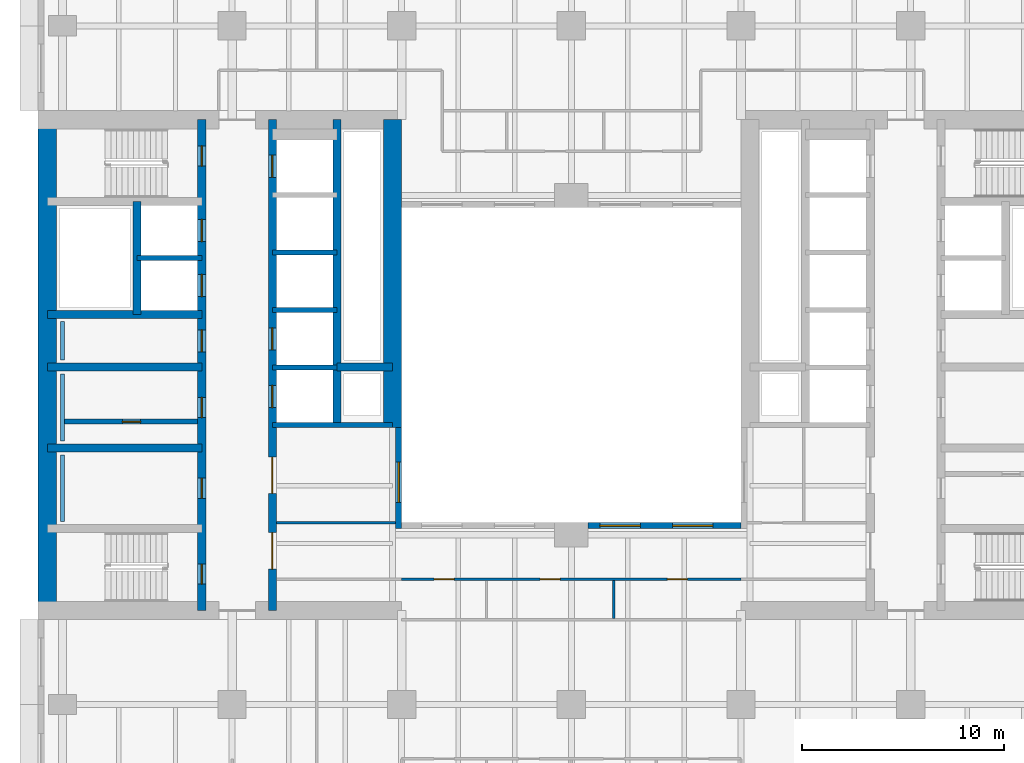
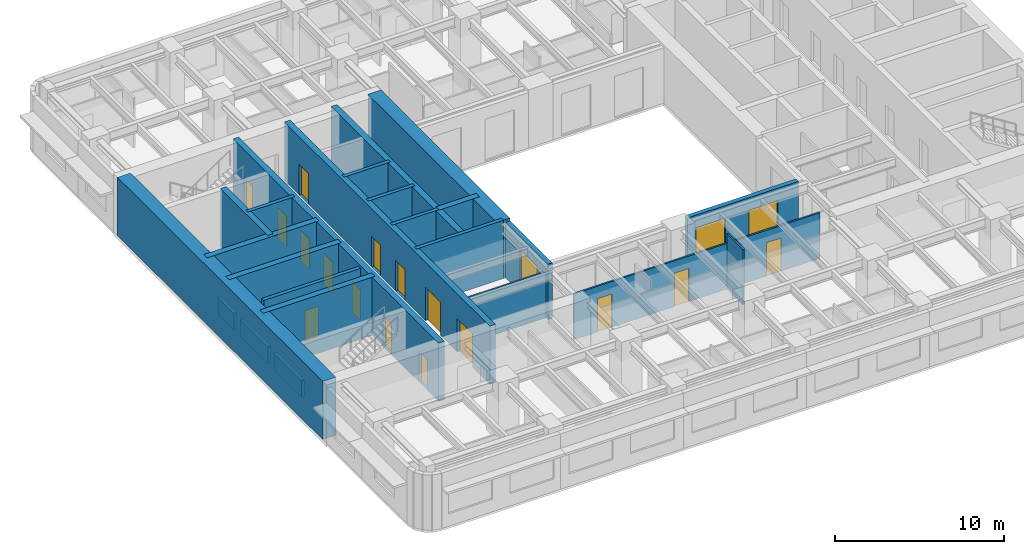
# One storey, part 4 of 11: 24 walls, 16 doors, 3 windows, 19 openings.
"""IFC4 building model written with IfcOpenShell, lengths in metres."""

from ifc_helpers import new_model, si_unit, direction, frame, frame_2d, origin, place, context, subcontext, project, spatial, rectangle, extrude, material, layer, layer_set, type_object, element, fill, save


model = new_model("IFC4")

# Units and contexts
model_context = context("Model", 3, precision=1e-05, world=origin(), true_north=direction((0.0, 1.0)))
body_context = subcontext(model_context, "Body", "Model", "MODEL_VIEW")
ifc_project = project(units=[si_unit("LENGTHUNIT", "METRE"), si_unit("AREAUNIT", "SQUARE_METRE"), si_unit("VOLUMEUNIT", "CUBIC_METRE"), si_unit("PLANEANGLEUNIT", "RADIAN"), si_unit("MASSUNIT", "GRAM", prefix="KILO")], contexts=[model_context])

# Site, building, storey
site_placement = place(None, origin())
site = spatial("IfcSite", under=ifc_project, at=site_placement, CompositionType="ELEMENT")
building_placement = place(site_placement, origin())
building = spatial("IfcBuilding", under=site, at=building_placement, Name="Claustro Exchange Tower", CompositionType="ELEMENT")
storey_placement = place(building_placement, frame((0.0, 0.0, 163.800048828125)))
storey = spatial("IfcBuildingStorey", under=building, at=storey_placement, Name="L37", CompositionType="ELEMENT", Elevation=163.800048828125)

# Walls
ifc_material_1 = material(Name="Laminated glass in aluminium frame", Category="aluminium")
ifc_layer_1 = layer(ifc_material_1, 0.1201171875)
ifc_layer_set_1 = layer_set([ifc_layer_1], Name="Laminated glass in aluminium frame")
wall_type_1 = type_object("IfcWallType", Name="P2 120 glazed partition", PredefinedType="PARTITIONING", material=ifc_layer_set_1)
wall_1_placement = place(storey_placement, frame((10.597900390625, 17.39990234375, 0.0), z_axis=(0.0, 0.0, 1.0), x_axis=(1.0, 0.0, 0.0)))
element("IfcWall", 1, at=wall_1_placement, inside=storey, type_object=wall_type_1, Name="Partition P2 L37", PredefinedType="PARTITIONING", context=body_context, shape_type="SweptSolid", body=[
    extrude(rectangle(XDim=5.904052734375, YDim=0.1201171875, at=frame_2d((2.9521484375, 0.0))), origin(), (0.0, 0.0, 1.0), 3.300048828125),
])
wall_2_placement = place(storey_placement, frame((27.300048828125, 12.657958984375, 0.0), z_axis=(0.0, 0.0, 1.0), x_axis=(0.0, 1.0, 0.0)))
element("IfcWall", 2, at=wall_2_placement, inside=storey, type_object=wall_type_1, Name="Partition P2 L37", PredefinedType="PARTITIONING", context=body_context, shape_type="SweptSolid", body=[
    extrude(rectangle(XDim=1.884033203125, YDim=0.1201171875, at=frame_2d((0.94189453125, 0.0))), origin(), (0.0, 0.0, 1.0), 4.0),
])

# Wall, openings, doors
wall_3_placement = place(storey_placement, frame((16.798095703125, 14.60009765625, 0.0), z_axis=(0.0, 0.0, 1.0), x_axis=(1.0, 0.0, 0.0)))
wall_3 = element("IfcWall", 3, at=wall_3_placement, inside=storey, type_object=wall_type_1, Name="Partition P2 L37", PredefinedType="PARTITIONING", context=body_context, shape_type="SweptSolid", body=[
    extrude(rectangle(XDim=16.803955078125, YDim=0.1201171875, at=frame_2d((8.40185546875, 0.0))), origin(), (0.0, 0.0, 1.0), 3.300048828125),
])
opening_1_placement = place(wall_3_placement, frame((1.60205078125, 0.0, 0.0)))
opening_1 = element("IfcOpeningElement", 4, at=opening_1_placement, cuts=wall_3, Name="Opening D7", PredefinedType="OPENING", context=body_context, shape_type="SweptSolid", body=[
    extrude(rectangle(XDim=1.0, YDim=2.39990234375, at=frame_2d((0.5, 1.199951171875))), frame((0.0, 0.070068359375, 0.0), z_axis=(0.0, -1.0, 0.0), x_axis=(1.0, 0.0, 0.0)), (0.0, 0.0, 1.0), 0.14013671875),
])
opening_2_placement = place(wall_3_placement, frame((6.85205078125, 0.0, 0.0)))
opening_2 = element("IfcOpeningElement", 5, at=opening_2_placement, cuts=wall_3, Name="Opening D7", PredefinedType="OPENING", context=body_context, shape_type="SweptSolid", body=[
    extrude(rectangle(XDim=1.0, YDim=2.39990234375, at=frame_2d((0.5, 1.199951171875))), frame((0.0, 0.070068359375, 0.0), z_axis=(0.0, -1.0, 0.0), x_axis=(1.0, 0.0, 0.0)), (0.0, 0.0, 1.0), 0.14013671875),
])
opening_3_placement = place(wall_3_placement, frame((13.152099609375, 0.0, 0.0)))
opening_3 = element("IfcOpeningElement", 6, at=opening_3_placement, cuts=wall_3, Name="Opening D7", PredefinedType="OPENING", context=body_context, shape_type="SweptSolid", body=[
    extrude(rectangle(XDim=1.0, YDim=2.39990234375, at=frame_2d((0.5, 1.199951171875))), frame((0.0, 0.070068359375, 0.0), z_axis=(0.0, -1.0, 0.0), x_axis=(1.0, 0.0, 0.0)), (0.0, 0.0, 1.0), 0.14013671875),
])
ifc_material_2 = material(Name="Glass door in aluminium frame", Category="aluminium")
door_type_1 = type_object("IfcDoorType", Name="D7 1000 x 2400 glazed door", OperationType="SINGLE_SWING_LEFT", PredefinedType="DOOR", material=ifc_material_2)
door_1_placement = place(opening_1_placement, frame((1.0, 0.0, 0.0), z_axis=(0.0, 0.0, 1.0), x_axis=(-1.0, 0.0, 0.0)))
door_1 = element("IfcDoor", 7, at=door_1_placement, inside=storey, type_object=door_type_1, Name="Door D7 L37", OperationType="SINGLE_SWING_RIGHT", OverallHeight=2.39990234375, OverallWidth=1.0, PredefinedType="DOOR", context=body_context, shape_type="SweptSolid", body=[
    extrude(rectangle(XDim=1.0, YDim=2.39990234375, at=frame_2d((0.5, 1.199951171875))), frame((0.0, 0.02490234375, 0.0), z_axis=(0.0, -1.0, 0.0), x_axis=(1.0, 0.0, 0.0)), (0.0, 0.0, 1.0), 0.050048828125),
])
fill(opening_1, door_1)
door_2_placement = place(opening_2_placement, frame((1.0, 0.0, 0.0), z_axis=(0.0, 0.0, 1.0), x_axis=(-1.0, 0.0, 0.0)))
door_2 = element("IfcDoor", 8, at=door_2_placement, inside=storey, type_object=door_type_1, Name="Door D7 L37", OperationType="SINGLE_SWING_RIGHT", OverallHeight=2.39990234375, OverallWidth=1.0, PredefinedType="DOOR", context=body_context, shape_type="SweptSolid", body=[
    extrude(rectangle(XDim=1.0, YDim=2.39990234375, at=frame_2d((0.5, 1.199951171875))), frame((0.0, 0.02490234375, 0.0), z_axis=(0.0, -1.0, 0.0), x_axis=(1.0, 0.0, 0.0)), (0.0, 0.0, 1.0), 0.050048828125),
])
fill(opening_2, door_2)
door_3_placement = place(opening_3_placement, frame((1.0, 0.0, 0.0), z_axis=(0.0, 0.0, 1.0), x_axis=(-1.0, 0.0, 0.0)))
door_3 = element("IfcDoor", 9, at=door_3_placement, inside=storey, type_object=door_type_1, Name="Door D7 L37", OperationType="SINGLE_SWING_RIGHT", OverallHeight=2.39990234375, OverallWidth=1.0, PredefinedType="DOOR", context=body_context, shape_type="SweptSolid", body=[
    extrude(rectangle(XDim=1.0, YDim=2.39990234375, at=frame_2d((0.5, 1.199951171875))), frame((0.0, 0.02490234375, 0.0), z_axis=(0.0, -1.0, 0.0), x_axis=(1.0, 0.0, 0.0)), (0.0, 0.0, 1.0), 0.050048828125),
])
fill(opening_3, door_3)

# Wall, opening, door
ifc_material_3 = material(Name="Concrete blockwork, rendered", Category="masonry")
ifc_layer_2 = layer(ifc_material_3, 0.25)
ifc_layer_set_2 = layer_set([ifc_layer_2], Name="Concrete blockwork, rendered")
wall_type_2 = type_object("IfcWallType", Name="P4 250 blockwork wall", PredefinedType="PARTITIONING", material=ifc_layer_set_2)
wall_4_placement = place(storey_placement, frame((0.10009765625, 22.39990234375, 0.0), z_axis=(0.0, 0.0, 1.0), x_axis=(1.0, 0.0, 0.0)))
wall_4 = element("IfcWall", 10, at=wall_4_placement, inside=storey, type_object=wall_type_2, Name="Partition P4 L37", PredefinedType="PARTITIONING", context=body_context, shape_type="SweptSolid", body=[
    extrude(rectangle(XDim=6.599853515625, YDim=0.25, at=frame_2d((3.2998046875, 0.0))), origin(), (0.0, 0.0, 1.0), 4.0),
])
opening_4_placement = place(wall_4_placement, frame((2.875, 0.0, 0.0)))
opening_4 = element("IfcOpeningElement", 11, at=opening_4_placement, cuts=wall_4, Name="Opening D5", PredefinedType="OPENING", context=body_context, shape_type="SweptSolid", body=[
    extrude(rectangle(XDim=0.89990234375, YDim=2.199951171875, at=frame_2d((0.449951171875, 1.10009765625))), frame((0.0, 0.135009765625, 0.0), z_axis=(0.0, -1.0, 0.0), x_axis=(1.0, 0.0, 0.0)), (0.0, 0.0, 1.0), 0.27001953125),
])
ifc_material_4 = material(Name="Steel door, painted", Category="steel")
door_type_2 = type_object("IfcDoorType", Name="D5 900 x 2200 store door", OperationType="SINGLE_SWING_LEFT", PredefinedType="DOOR", material=ifc_material_4)
door_4_placement = place(opening_4_placement, frame((0.89990234375, 0.0, 0.0), z_axis=(0.0, 0.0, 1.0), x_axis=(-1.0, 0.0, 0.0)))
door_4 = element("IfcDoor", 12, at=door_4_placement, inside=storey, type_object=door_type_2, Name="Store door D5 L37", OperationType="SINGLE_SWING_RIGHT", OverallHeight=2.199951171875, OverallWidth=0.89990234375, PredefinedType="DOOR", context=body_context, shape_type="SweptSolid", body=[
    extrude(rectangle(XDim=0.89990234375, YDim=2.199951171875, at=frame_2d((0.449951171875, 1.10009765625))), frame((0.0, 0.02490234375, 0.0), z_axis=(0.0, -1.0, 0.0), x_axis=(1.0, 0.0, 0.0)), (0.0, 0.0, 1.0), 0.050048828125),
])
fill(opening_4, door_4)

# Wall, opening, window
ifc_material_5 = material(Name="Concrete HA-40 (C40/50), precast, white cement, acid-etched", Category="concrete")
ifc_layer_3 = layer(ifc_material_5, 0.300048828125)
ifc_layer_set_3 = layer_set([ifc_layer_3], Name="Concrete HA-40 (C40/50), precast, white cement, acid-etched")
wall_type_3 = type_object("IfcWallType", Name="PC1 300 precast concrete pier panel", PredefinedType="SOLIDWALL", material=ifc_layer_set_3)
wall_5_placement = place(storey_placement, frame((16.64990234375, 17.10009765625, 0.0), z_axis=(0.0, 0.0, 1.0), x_axis=(0.0, 1.0, 0.0)))
wall_5 = element("IfcWall", 13, at=wall_5_placement, inside=storey, type_object=wall_type_3, Name="Precast pier panel PC1 L37", PredefinedType="SOLIDWALL", context=body_context, shape_type="SweptSolid", body=[
    extrude(rectangle(XDim=5.0, YDim=0.300048828125, at=frame_2d((2.5, 0.0))), origin(), (0.0, 0.0, 1.0), 4.0),
])
opening_5_placement = place(wall_5_placement, frame((1.300048828125, 0.0, 0.10009765625)))
opening_5 = element("IfcOpeningElement", 14, at=opening_5_placement, cuts=wall_5, Name="Opening W-A", PredefinedType="OPENING", context=body_context, shape_type="SweptSolid", body=[
    extrude(rectangle(XDim=2.0, YDim=3.0, at=frame_2d((1.0, 1.5))), frame((0.0, 0.159912109375, 0.0), z_axis=(0.0, -1.0, 0.0), x_axis=(1.0, 0.0, 0.0)), (0.0, 0.0, 1.0), 0.320068359375),
])
ifc_material_6 = material(Name="Aluminium frame, clear double glazing", Category="aluminium")
window_type = type_object("IfcWindowType", Name="W-A 2000 x 3000 arcade window", PartitioningType="SINGLE_PANEL", PredefinedType="WINDOW", material=ifc_material_6)
window_1_placement = place(opening_5_placement, origin())
window_1 = element("IfcWindow", 15, at=window_1_placement, inside=storey, type_object=window_type, Name="Window W-A L37", OverallHeight=3.0, OverallWidth=2.0, PartitioningType="SINGLE_PANEL", PredefinedType="WINDOW", context=body_context, shape_type="SweptSolid", body=[
    extrude(rectangle(XDim=2.0, YDim=3.0, at=frame_2d((1.0, 1.5))), frame((0.0, 0.030029296875, 0.0), z_axis=(0.0, -1.0, 0.0), x_axis=(1.0, 0.0, 0.0)), (0.0, 0.0, 1.0), 0.06005859375),
])
fill(opening_5, window_1)

# Wall, openings, windows
wall_6_placement = place(storey_placement, frame((26.02490234375, 17.25, 0.0), z_axis=(0.0, 0.0, 1.0), x_axis=(1.0, 0.0, 0.0)))
wall_6 = element("IfcWall", 16, at=wall_6_placement, inside=storey, type_object=wall_type_3, Name="Precast pier panel PC1 L37", PredefinedType="SOLIDWALL", context=body_context, shape_type="SweptSolid", body=[
    extrude(rectangle(XDim=7.5751953125, YDim=0.300048828125, at=frame_2d((3.78759765625, 0.0))), origin(), (0.0, 0.0, 1.0), 4.0),
])
opening_6_placement = place(wall_6_placement, frame((0.58740234375, 0.0, 0.10009765625)))
opening_6 = element("IfcOpeningElement", 17, at=opening_6_placement, cuts=wall_6, Name="Opening W-A", PredefinedType="OPENING", context=body_context, shape_type="SweptSolid", body=[
    extrude(rectangle(XDim=2.0, YDim=3.0, at=frame_2d((1.0, 1.5))), frame((0.0, 0.159912109375, 0.0), z_axis=(0.0, -1.0, 0.0), x_axis=(1.0, 0.0, 0.0)), (0.0, 0.0, 1.0), 0.320068359375),
])
opening_7_placement = place(wall_6_placement, frame((4.1875, 0.0, 0.10009765625)))
opening_7 = element("IfcOpeningElement", 18, at=opening_7_placement, cuts=wall_6, Name="Opening W-A", PredefinedType="OPENING", context=body_context, shape_type="SweptSolid", body=[
    extrude(rectangle(XDim=2.0, YDim=3.0, at=frame_2d((1.0, 1.5))), frame((0.0, 0.159912109375, 0.0), z_axis=(0.0, -1.0, 0.0), x_axis=(1.0, 0.0, 0.0)), (0.0, 0.0, 1.0), 0.320068359375),
])
window_2_placement = place(opening_6_placement, origin())
window_2 = element("IfcWindow", 19, at=window_2_placement, inside=storey, type_object=window_type, Name="Window W-A L37", OverallHeight=3.0, OverallWidth=2.0, PartitioningType="SINGLE_PANEL", PredefinedType="WINDOW", context=body_context, shape_type="SweptSolid", body=[
    extrude(rectangle(XDim=2.0, YDim=3.0, at=frame_2d((1.0, 1.5))), frame((0.0, 0.030029296875, 0.0), z_axis=(0.0, -1.0, 0.0), x_axis=(1.0, 0.0, 0.0)), (0.0, 0.0, 1.0), 0.06005859375),
])
fill(opening_6, window_2)
window_3_placement = place(opening_7_placement, origin())
window_3 = element("IfcWindow", 20, at=window_3_placement, inside=storey, type_object=window_type, Name="Window W-A L37", OverallHeight=3.0, OverallWidth=2.0, PartitioningType="SINGLE_PANEL", PredefinedType="WINDOW", context=body_context, shape_type="SweptSolid", body=[
    extrude(rectangle(XDim=2.0, YDim=3.0, at=frame_2d((1.0, 1.5))), frame((0.0, 0.030029296875, 0.0), z_axis=(0.0, -1.0, 0.0), x_axis=(1.0, 0.0, 0.0)), (0.0, 0.0, 1.0), 0.06005859375),
])
fill(opening_7, window_3)

# Walls
ifc_material_7 = material(Name="Gypsum board on steel studs, tiled", Category="steel")
ifc_layer_4 = layer(ifc_material_7, 0.199951171875)
ifc_layer_set_4 = layer_set([ifc_layer_4], Name="Gypsum board on steel studs, tiled")
wall_type_4 = type_object("IfcWallType", Name="PW1 200 WC duct wall", PredefinedType="PLUMBINGWALL", material=ifc_layer_set_4)
for number, where, z_axis, x_axis, name in (
    (21, (0.0, 17.449951171875, 0.0), (0.0, 0.0, 1.0), (0.0, 1.0, 0.0), "WC duct wall PW1 L37"),
    (22, (0.0, 21.449951171875, 0.0), (0.0, 0.0, 1.0), (0.0, 1.0, 0.0), "WC duct wall PW1 L37"),
):
    element("IfcWall", number, at=place(storey_placement, frame(where, z_axis=z_axis, x_axis=x_axis)), inside=storey, type_object=wall_type_4, Name=name, PredefinedType="PLUMBINGWALL", context=body_context, shape_type="SweptSolid", body=[
        extrude(rectangle(XDim=3.300048828125, YDim=0.199951171875, at=frame_2d((1.64990234375, 0.0))), origin(), (0.0, 0.0, 1.0), 1.199951171875),
    ])
wall_7_placement = place(storey_placement, frame((0.0, 25.449951171875, 0.0), z_axis=(0.0, 0.0, 1.0), x_axis=(0.0, 1.0, 0.0)))
element("IfcWall", 23, at=wall_7_placement, inside=storey, type_object=wall_type_4, Name="WC duct wall PW1 L37", PredefinedType="PLUMBINGWALL", context=body_context, shape_type="SweptSolid", body=[
    extrude(rectangle(XDim=1.900146484375, YDim=0.199951171875, at=frame_2d((0.9501953125, 0.0))), origin(), (0.0, 0.0, 1.0), 1.199951171875),
])
ifc_material_8 = material(Name="Concrete HA-70 (C70/85)", Category="concrete")
ifc_layer_5 = layer(ifc_material_8, 0.89990234375)
ifc_layer_set_5 = layer_set([ifc_layer_5], Name="Concrete HA-70 (C70/85)")
wall_type_5 = type_object("IfcWallType", Name="SW1X 900 exposed core shear wall, board-marked face", PredefinedType="SHEAR", material=ifc_layer_set_5)
wall_8_placement = place(storey_placement, frame((-0.75, 13.050048828125, 0.0), z_axis=(0.0, 0.0, 1.0), x_axis=(0.0, 1.0, 0.0)))
element("IfcWall", 24, at=wall_8_placement, inside=storey, type_object=wall_type_5, Name="Core wall SW1X W core W face L37", PredefinedType="SHEAR", context=body_context, shape_type="SweptSolid", body=[
    extrude(rectangle(XDim=24.300048828125, YDim=0.89990234375, at=frame_2d((12.14990234375, 0.0))), origin(), (0.0, 0.0, 1.0), 4.199951171875),
])
wall_9_placement = place(storey_placement, frame((16.35009765625, 22.10009765625, 0.0), z_axis=(0.0, 0.0, 1.0), x_axis=(0.0, 1.0, 0.0)))
element("IfcWall", 25, at=wall_9_placement, inside=storey, type_object=wall_type_5, Name="Core wall SW1X W core E face L37", PredefinedType="SHEAR", context=body_context, shape_type="SweptSolid", body=[
    extrude(rectangle(XDim=15.25, YDim=0.89990234375, at=frame_2d((7.625, 0.0))), origin(), (0.0, 0.0, 1.0), 4.199951171875),
])

# Wall, openings, doors
ifc_material_9 = material(Name="Concrete HA-50 (C50/60)", Category="concrete")
ifc_layer_6 = layer(ifc_material_9, 0.39990234375)
ifc_layer_set_6 = layer_set([ifc_layer_6], Name="Concrete HA-50 (C50/60)")
wall_type_6 = type_object("IfcWallType", Name="SW4 400 internal core wall", PredefinedType="SHEAR", material=ifc_layer_set_6)
wall_10_placement = place(storey_placement, frame((6.89990234375, 13.050048828125, 0.0), z_axis=(0.0, 0.0, 1.0), x_axis=(0.0, 1.0, 0.0)))
wall_10 = element("IfcWall", 26, at=wall_10_placement, inside=storey, type_object=wall_type_6, Name="Internal core wall SW4 W core L37", PredefinedType="SHEAR", context=body_context, shape_type="SweptSolid", body=[
    extrude(rectangle(XDim=24.300048828125, YDim=0.39990234375, at=frame_2d((12.14990234375, 0.0))), origin(), (0.0, 0.0, 1.0), 4.199951171875),
])
opening_8_placement = place(wall_10_placement, frame((1.300048828125, 0.0, 0.0)))
opening_8 = element("IfcOpeningElement", 27, at=opening_8_placement, cuts=wall_10, Name="Opening D4", PredefinedType="OPENING", context=body_context, shape_type="SweptSolid", body=[
    extrude(rectangle(XDim=1.0, YDim=2.199951171875, at=frame_2d((0.5, 1.10009765625))), frame((0.0, 0.2099609375, 0.0), z_axis=(0.0, -1.0, 0.0), x_axis=(1.0, 0.0, 0.0)), (0.0, 0.0, 1.0), 0.419921875),
])
opening_9_placement = place(wall_10_placement, frame((22.0, 0.0, 0.0)))
opening_9 = element("IfcOpeningElement", 28, at=opening_9_placement, cuts=wall_10, Name="Opening D4", PredefinedType="OPENING", context=body_context, shape_type="SweptSolid", body=[
    extrude(rectangle(XDim=1.0, YDim=2.199951171875, at=frame_2d((0.5, 1.10009765625))), frame((0.0, 0.2099609375, 0.0), z_axis=(0.0, -1.0, 0.0), x_axis=(1.0, 0.0, 0.0)), (0.0, 0.0, 1.0), 0.419921875),
])
opening_10_placement = place(wall_10_placement, frame((5.550048828125, 0.0, 0.0)))
opening_10 = element("IfcOpeningElement", 29, at=opening_10_placement, cuts=wall_10, Name="Opening D1", PredefinedType="OPENING", context=body_context, shape_type="SweptSolid", body=[
    extrude(rectangle(XDim=1.0, YDim=2.199951171875, at=frame_2d((0.5, 1.10009765625))), frame((0.0, 0.2099609375, 0.0), z_axis=(0.0, -1.0, 0.0), x_axis=(1.0, 0.0, 0.0)), (0.0, 0.0, 1.0), 0.419921875),
])
opening_11_placement = place(wall_10_placement, frame((9.550048828125, 0.0, 0.0)))
opening_11 = element("IfcOpeningElement", 30, at=opening_11_placement, cuts=wall_10, Name="Opening D1", PredefinedType="OPENING", context=body_context, shape_type="SweptSolid", body=[
    extrude(rectangle(XDim=1.0, YDim=2.199951171875, at=frame_2d((0.5, 1.10009765625))), frame((0.0, 0.2099609375, 0.0), z_axis=(0.0, -1.0, 0.0), x_axis=(1.0, 0.0, 0.0)), (0.0, 0.0, 1.0), 0.419921875),
])
opening_12_placement = place(wall_10_placement, frame((12.800048828125, 0.0, 0.0)))
opening_12 = element("IfcOpeningElement", 31, at=opening_12_placement, cuts=wall_10, Name="Opening D10", PredefinedType="OPENING", context=body_context, shape_type="SweptSolid", body=[
    extrude(rectangle(XDim=1.10009765625, YDim=2.199951171875, at=frame_2d((0.550048828125, 1.10009765625))), frame((0.0, 0.2099609375, 0.0), z_axis=(0.0, -1.0, 0.0), x_axis=(1.0, 0.0, 0.0)), (0.0, 0.0, 1.0), 0.419921875),
])
opening_13_placement = place(wall_10_placement, frame((15.53759765625, 0.0, 0.0)))
opening_13 = element("IfcOpeningElement", 32, at=opening_13_placement, cuts=wall_10, Name="Opening LD", PredefinedType="OPENING", context=body_context, shape_type="SweptSolid", body=[
    extrude(rectangle(XDim=1.10009765625, YDim=2.199951171875, at=frame_2d((0.550048828125, 1.10009765625))), frame((0.0, 0.2099609375, 0.0), z_axis=(0.0, -1.0, 0.0), x_axis=(1.0, 0.0, 0.0)), (0.0, 0.0, 1.0), 0.419921875),
])
opening_14_placement = place(wall_10_placement, frame((18.262451171875, 0.0, 0.0)))
opening_14 = element("IfcOpeningElement", 33, at=opening_14_placement, cuts=wall_10, Name="Opening LD", PredefinedType="OPENING", context=body_context, shape_type="SweptSolid", body=[
    extrude(rectangle(XDim=1.10009765625, YDim=2.199951171875, at=frame_2d((0.550048828125, 1.10009765625))), frame((0.0, 0.2099609375, 0.0), z_axis=(0.0, -1.0, 0.0), x_axis=(1.0, 0.0, 0.0)), (0.0, 0.0, 1.0), 0.419921875),
])
ifc_material_10 = material(Name="Timber door, oak veneer", Category="wood")
door_type_3 = type_object("IfcDoorType", Name="D1 1000 x 2200 single door", OperationType="SINGLE_SWING_LEFT", PredefinedType="DOOR", material=ifc_material_10)
door_5_placement = place(opening_10_placement, origin())
door_5 = element("IfcDoor", 34, at=door_5_placement, inside=storey, type_object=door_type_3, Name="Door D1 L37", OperationType="SINGLE_SWING_RIGHT", OverallHeight=2.199951171875, OverallWidth=1.0, PredefinedType="DOOR", context=body_context, shape_type="SweptSolid", body=[
    extrude(rectangle(XDim=1.0, YDim=2.199951171875, at=frame_2d((0.5, 1.10009765625))), frame((0.0, 0.02490234375, 0.0), z_axis=(0.0, -1.0, 0.0), x_axis=(1.0, 0.0, 0.0)), (0.0, 0.0, 1.0), 0.050048828125),
])
fill(opening_10, door_5)
door_6_placement = place(opening_11_placement, origin())
door_6 = element("IfcDoor", 35, at=door_6_placement, inside=storey, type_object=door_type_3, Name="Door D1 L37", OperationType="SINGLE_SWING_LEFT", OverallHeight=2.199951171875, OverallWidth=1.0, PredefinedType="DOOR", context=body_context, shape_type="SweptSolid", body=[
    extrude(rectangle(XDim=1.0, YDim=2.199951171875, at=frame_2d((0.5, 1.10009765625))), frame((0.0, 0.02490234375, 0.0), z_axis=(0.0, -1.0, 0.0), x_axis=(1.0, 0.0, 0.0)), (0.0, 0.0, 1.0), 0.050048828125),
])
fill(opening_11, door_6)
ifc_material_11 = material(Name="Timber door, oak veneer", Category="wood")
door_type_4 = type_object("IfcDoorType", Name="D10 1100 x 2200 accessible WC door", OperationType="SINGLE_SWING_LEFT", PredefinedType="DOOR", material=ifc_material_11)
door_7_placement = place(opening_12_placement, frame((1.10009765625, 0.0, 0.0), z_axis=(0.0, 0.0, 1.0), x_axis=(-1.0, 0.0, 0.0)))
door_7 = element("IfcDoor", 36, at=door_7_placement, inside=storey, type_object=door_type_4, Name="Accessible WC door D10 L37", OperationType="SINGLE_SWING_LEFT", OverallHeight=2.199951171875, OverallWidth=1.10009765625, PredefinedType="DOOR", context=body_context, shape_type="SweptSolid", body=[
    extrude(rectangle(XDim=1.10009765625, YDim=2.199951171875, at=frame_2d((0.550048828125, 1.10009765625))), frame((0.0, 0.02490234375, 0.0), z_axis=(0.0, -1.0, 0.0), x_axis=(1.0, 0.0, 0.0)), (0.0, 0.0, 1.0), 0.050048828125),
])
fill(opening_12, door_7)
ifc_material_12 = material(Name="Steel fire door, painted", Category="steel")
door_type_5 = type_object("IfcDoorType", Name="D4 1000 x 2200 fire-rated stair door", OperationType="SINGLE_SWING_LEFT", PredefinedType="DOOR", material=ifc_material_12)
door_8_placement = place(opening_8_placement, origin())
door_8 = element("IfcDoor", 37, at=door_8_placement, inside=storey, type_object=door_type_5, Name="Stair door D4 L37", OperationType="SINGLE_SWING_LEFT", OverallHeight=2.199951171875, OverallWidth=1.0, PredefinedType="DOOR", context=body_context, shape_type="SweptSolid", body=[
    extrude(rectangle(XDim=1.0, YDim=2.199951171875, at=frame_2d((0.5, 1.10009765625))), frame((0.0, 0.02490234375, 0.0), z_axis=(0.0, -1.0, 0.0), x_axis=(1.0, 0.0, 0.0)), (0.0, 0.0, 1.0), 0.050048828125),
])
fill(opening_8, door_8)
door_9_placement = place(opening_9_placement, origin())
door_9 = element("IfcDoor", 38, at=door_9_placement, inside=storey, type_object=door_type_5, Name="Stair door D4 L37", OperationType="SINGLE_SWING_RIGHT", OverallHeight=2.199951171875, OverallWidth=1.0, PredefinedType="DOOR", context=body_context, shape_type="SweptSolid", body=[
    extrude(rectangle(XDim=1.0, YDim=2.199951171875, at=frame_2d((0.5, 1.10009765625))), frame((0.0, 0.02490234375, 0.0), z_axis=(0.0, -1.0, 0.0), x_axis=(1.0, 0.0, 0.0)), (0.0, 0.0, 1.0), 0.050048828125),
])
fill(opening_9, door_9)
ifc_material_13 = material(Name="Stainless steel sliding door", Category="steel")
door_type_6 = type_object("IfcDoorType", Name="LD 1100 x 2200 lift landing door", OperationType="DOUBLE_DOOR_SLIDING", PredefinedType="DOOR", material=ifc_material_13)
door_10_placement = place(opening_13_placement, origin())
door_10 = element("IfcDoor", 39, at=door_10_placement, inside=storey, type_object=door_type_6, Name="Lift landing door LEW1 LD L37", OperationType="DOUBLE_DOOR_SLIDING", OverallHeight=2.199951171875, OverallWidth=1.10009765625, PredefinedType="DOOR", context=body_context, shape_type="SweptSolid", body=[
    extrude(rectangle(XDim=1.10009765625, YDim=2.199951171875, at=frame_2d((0.550048828125, 1.10009765625))), frame((0.0, 0.02490234375, 0.0), z_axis=(0.0, -1.0, 0.0), x_axis=(1.0, 0.0, 0.0)), (0.0, 0.0, 1.0), 0.050048828125),
])
fill(opening_13, door_10)
door_11_placement = place(opening_14_placement, origin())
door_11 = element("IfcDoor", 40, at=door_11_placement, inside=storey, type_object=door_type_6, Name="Lift landing door LEW2 LD L37", OperationType="DOUBLE_DOOR_SLIDING", OverallHeight=2.199951171875, OverallWidth=1.10009765625, PredefinedType="DOOR", context=body_context, shape_type="SweptSolid", body=[
    extrude(rectangle(XDim=1.10009765625, YDim=2.199951171875, at=frame_2d((0.550048828125, 1.10009765625))), frame((0.0, 0.02490234375, 0.0), z_axis=(0.0, -1.0, 0.0), x_axis=(1.0, 0.0, 0.0)), (0.0, 0.0, 1.0), 0.050048828125),
])
fill(opening_14, door_11)

wall_11_placement = place(storey_placement, frame((10.39990234375, 13.050048828125, 0.0), z_axis=(0.0, 0.0, 1.0), x_axis=(0.0, 1.0, 0.0)))
wall_11 = element("IfcWall", 41, at=wall_11_placement, inside=storey, type_object=wall_type_6, Name="Internal core wall SW4 W core L37", PredefinedType="SHEAR", context=body_context, shape_type="SweptSolid", body=[
    extrude(rectangle(XDim=24.300048828125, YDim=0.39990234375, at=frame_2d((12.14990234375, 0.0))), origin(), (0.0, 0.0, 1.0), 4.199951171875),
])
opening_15_placement = place(wall_11_placement, frame((10.050048828125, 0.0, 0.0)))
opening_15 = element("IfcOpeningElement", 42, at=opening_15_placement, cuts=wall_11, Name="Opening LD", PredefinedType="OPENING", context=body_context, shape_type="SweptSolid", body=[
    extrude(rectangle(XDim=1.10009765625, YDim=2.199951171875, at=frame_2d((0.550048828125, 1.10009765625))), frame((0.0, 0.2099609375, 0.0), z_axis=(0.0, -1.0, 0.0), x_axis=(1.0, 0.0, 0.0)), (0.0, 0.0, 1.0), 0.419921875),
])
opening_16_placement = place(wall_11_placement, frame((12.89990234375, 0.0, 0.0)))
opening_16 = element("IfcOpeningElement", 43, at=opening_16_placement, cuts=wall_11, Name="Opening LD", PredefinedType="OPENING", context=body_context, shape_type="SweptSolid", body=[
    extrude(rectangle(XDim=1.10009765625, YDim=2.199951171875, at=frame_2d((0.550048828125, 1.10009765625))), frame((0.0, 0.2099609375, 0.0), z_axis=(0.0, -1.0, 0.0), x_axis=(1.0, 0.0, 0.0)), (0.0, 0.0, 1.0), 0.419921875),
])
opening_17_placement = place(wall_11_placement, frame((21.449951171875, 0.0, 0.0)))
opening_17 = element("IfcOpeningElement", 44, at=opening_17_placement, cuts=wall_11, Name="Opening LD", PredefinedType="OPENING", context=body_context, shape_type="SweptSolid", body=[
    extrude(rectangle(XDim=1.10009765625, YDim=2.199951171875, at=frame_2d((0.550048828125, 1.10009765625))), frame((0.0, 0.2099609375, 0.0), z_axis=(0.0, -1.0, 0.0), x_axis=(1.0, 0.0, 0.0)), (0.0, 0.0, 1.0), 0.419921875),
])
opening_18_placement = place(wall_11_placement, frame((2.050048828125, 0.0, 0.0)))
opening_18 = element("IfcOpeningElement", 45, at=opening_18_placement, cuts=wall_11, Name="Opening D3", PredefinedType="OPENING", context=body_context, shape_type="SweptSolid", body=[
    extrude(rectangle(XDim=1.800048828125, YDim=2.39990234375, at=frame_2d((0.89990234375, 1.199951171875))), frame((0.0, 0.2099609375, 0.0), z_axis=(0.0, -1.0, 0.0), x_axis=(1.0, 0.0, 0.0)), (0.0, 0.0, 1.0), 0.419921875),
])
opening_19_placement = place(wall_11_placement, frame((5.800048828125, 0.0, 0.0)))
opening_19 = element("IfcOpeningElement", 46, at=opening_19_placement, cuts=wall_11, Name="Opening D3", PredefinedType="OPENING", context=body_context, shape_type="SweptSolid", body=[
    extrude(rectangle(XDim=1.800048828125, YDim=2.39990234375, at=frame_2d((0.89990234375, 1.199951171875))), frame((0.0, 0.2099609375, 0.0), z_axis=(0.0, -1.0, 0.0), x_axis=(1.0, 0.0, 0.0)), (0.0, 0.0, 1.0), 0.419921875),
])
ifc_material_14 = material(Name="Steel fire door, painted", Category="steel")
door_type_7 = type_object("IfcDoorType", Name="D3 1800 x 2400 fire-rated lobby double door", OperationType="DOUBLE_DOOR_SINGLE_SWING", PredefinedType="DOOR", material=ifc_material_14)
door_12_placement = place(opening_18_placement, origin())
door_12 = element("IfcDoor", 47, at=door_12_placement, inside=storey, type_object=door_type_7, Name="Core zone door D3 L37", OperationType="DOUBLE_DOOR_SINGLE_SWING", OverallHeight=2.39990234375, OverallWidth=1.800048828125, PredefinedType="DOOR", context=body_context, shape_type="SweptSolid", body=[
    extrude(rectangle(XDim=1.800048828125, YDim=2.39990234375, at=frame_2d((0.89990234375, 1.199951171875))), frame((0.0, 0.02490234375, 0.0), z_axis=(0.0, -1.0, 0.0), x_axis=(1.0, 0.0, 0.0)), (0.0, 0.0, 1.0), 0.050048828125),
])
fill(opening_18, door_12)
door_13_placement = place(opening_19_placement, frame((1.800048828125, 0.0, 0.0), z_axis=(0.0, 0.0, 1.0), x_axis=(-1.0, 0.0, 0.0)))
door_13 = element("IfcDoor", 48, at=door_13_placement, inside=storey, type_object=door_type_7, Name="Core zone door D3 L37", OperationType="DOUBLE_DOOR_SINGLE_SWING", OverallHeight=2.39990234375, OverallWidth=1.800048828125, PredefinedType="DOOR", context=body_context, shape_type="SweptSolid", body=[
    extrude(rectangle(XDim=1.800048828125, YDim=2.39990234375, at=frame_2d((0.89990234375, 1.199951171875))), frame((0.0, 0.02490234375, 0.0), z_axis=(0.0, -1.0, 0.0), x_axis=(1.0, 0.0, 0.0)), (0.0, 0.0, 1.0), 0.050048828125),
])
fill(opening_19, door_13)
door_14_placement = place(opening_15_placement, origin())
door_14 = element("IfcDoor", 49, at=door_14_placement, inside=storey, type_object=door_type_6, Name="Lift landing door LMW1 LD L37", OperationType="DOUBLE_DOOR_SLIDING", OverallHeight=2.199951171875, OverallWidth=1.10009765625, PredefinedType="DOOR", context=body_context, shape_type="SweptSolid", body=[
    extrude(rectangle(XDim=1.10009765625, YDim=2.199951171875, at=frame_2d((0.550048828125, 1.10009765625))), frame((0.0, 0.02490234375, 0.0), z_axis=(0.0, -1.0, 0.0), x_axis=(1.0, 0.0, 0.0)), (0.0, 0.0, 1.0), 0.050048828125),
])
fill(opening_15, door_14)
door_15_placement = place(opening_16_placement, origin())
door_15 = element("IfcDoor", 50, at=door_15_placement, inside=storey, type_object=door_type_6, Name="Lift landing door LMW2 LD L37", OperationType="DOUBLE_DOOR_SLIDING", OverallHeight=2.199951171875, OverallWidth=1.10009765625, PredefinedType="DOOR", context=body_context, shape_type="SweptSolid", body=[
    extrude(rectangle(XDim=1.10009765625, YDim=2.199951171875, at=frame_2d((0.550048828125, 1.10009765625))), frame((0.0, 0.02490234375, 0.0), z_axis=(0.0, -1.0, 0.0), x_axis=(1.0, 0.0, 0.0)), (0.0, 0.0, 1.0), 0.050048828125),
])
fill(opening_16, door_15)
door_16_placement = place(opening_17_placement, origin())
door_16 = element("IfcDoor", 51, at=door_16_placement, inside=storey, type_object=door_type_6, Name="Lift landing door LSW1 LD L37", OperationType="DOUBLE_DOOR_SLIDING", OverallHeight=2.199951171875, OverallWidth=1.10009765625, PredefinedType="DOOR", context=body_context, shape_type="SweptSolid", body=[
    extrude(rectangle(XDim=1.10009765625, YDim=2.199951171875, at=frame_2d((0.550048828125, 1.10009765625))), frame((0.0, 0.02490234375, 0.0), z_axis=(0.0, -1.0, 0.0), x_axis=(1.0, 0.0, 0.0)), (0.0, 0.0, 1.0), 0.050048828125),
])
fill(opening_17, door_16)

# Walls
wall_12_placement = place(storey_placement, frame((13.60009765625, 22.22509765625, 0.0), z_axis=(0.0, 0.0, 1.0), x_axis=(0.0, 1.0, 0.0)))
element("IfcWall", 52, at=wall_12_placement, inside=storey, type_object=wall_type_6, Name="Internal core wall SW4 W core L37", PredefinedType="SHEAR", context=body_context, shape_type="SweptSolid", body=[
    extrude(rectangle(XDim=15.125, YDim=0.39990234375, at=frame_2d((7.5625, 0.0))), origin(), (0.0, 0.0, 1.0), 4.199951171875),
])
for number, where, z_axis, x_axis, name in (
    (53, (-0.75, 21.10009765625, 0.0), (0.0, 0.0, 1.0), (1.0, 0.0, 0.0), "Internal core wall SW4 W core L37"),
    (54, (-0.75, 25.10009765625, 0.0), (0.0, 0.0, 1.0), (1.0, 0.0, 0.0), "Internal core wall SW4 W core L37"),
    (55, (-0.75, 27.699951171875, 0.0), (0.0, 0.0, 1.0), (1.0, 0.0, 0.0), "Internal core wall SW4 W core L37"),
):
    element("IfcWall", number, at=place(storey_placement, frame(where, z_axis=z_axis, x_axis=x_axis)), inside=storey, type_object=wall_type_6, Name=name, PredefinedType="SHEAR", context=body_context, shape_type="SweptSolid", body=[
        extrude(rectangle(XDim=7.64990234375, YDim=0.39990234375, at=frame_2d((3.824951171875, 0.0))), origin(), (0.0, 0.0, 1.0), 4.199951171875),
    ])
wall_13_placement = place(storey_placement, frame((3.699951171875, 27.699951171875, 0.0), z_axis=(0.0, 0.0, 1.0), x_axis=(0.0, 1.0, 0.0)))
element("IfcWall", 56, at=wall_13_placement, inside=storey, type_object=wall_type_6, Name="Internal core wall SW4 W core L37", PredefinedType="SHEAR", context=body_context, shape_type="SweptSolid", body=[
    extrude(rectangle(XDim=5.60009765625, YDim=0.39990234375, at=frame_2d((2.800048828125, 0.0))), origin(), (0.0, 0.0, 1.0), 4.199951171875),
])
wall_14_placement = place(storey_placement, frame((13.60009765625, 25.10009765625, 0.0), z_axis=(0.0, 0.0, 1.0), x_axis=(1.0, 0.0, 0.0)))
element("IfcWall", 57, at=wall_14_placement, inside=storey, type_object=wall_type_6, Name="Internal core wall SW4 W core L37", PredefinedType="SHEAR", context=body_context, shape_type="SweptSolid", body=[
    extrude(rectangle(XDim=2.75, YDim=0.39990234375, at=frame_2d((1.375, 0.0))), origin(), (0.0, 0.0, 1.0), 4.199951171875),
])
ifc_material_15 = material(Name="Concrete HA-50 (C50/60)", Category="concrete")
ifc_layer_7 = layer(ifc_material_15, 0.25)
ifc_layer_set_7 = layer_set([ifc_layer_7], Name="Concrete HA-50 (C50/60)")
wall_type_7 = type_object("IfcWallType", Name="SW5 250 lift shaft divider wall", PredefinedType="SHEAR", material=ifc_layer_set_7)
wall_15_placement = place(storey_placement, frame((3.699951171875, 30.5, 0.0), z_axis=(0.0, 0.0, 1.0), x_axis=(1.0, 0.0, 0.0)))
element("IfcWall", 58, at=wall_15_placement, inside=storey, type_object=wall_type_7, Name="Lift shaft wall W core L37", PredefinedType="SHEAR", context=body_context, shape_type="SweptSolid", body=[
    extrude(rectangle(XDim=3.199951171875, YDim=0.25, at=frame_2d((1.60009765625, 0.0))), origin(), (0.0, 0.0, 1.0), 4.199951171875),
])
wall_16_placement = place(storey_placement, frame((10.39990234375, 22.22509765625, 0.0), z_axis=(0.0, 0.0, 1.0), x_axis=(1.0, 0.0, 0.0)))
element("IfcWall", 59, at=wall_16_placement, inside=storey, type_object=wall_type_7, Name="Core step wall W core L37", PredefinedType="SHEAR", context=body_context, shape_type="SweptSolid", body=[
    extrude(rectangle(XDim=5.9501953125, YDim=0.25, at=frame_2d((2.97509765625, 0.0))), origin(), (0.0, 0.0, 1.0), 4.199951171875),
])
for number, where, z_axis, x_axis, name in (
    (60, (10.39990234375, 25.074951171875, 0.0), (0.0, 0.0, 1.0), (1.0, 0.0, 0.0), "Lift shaft wall W core L37"),
    (61, (10.39990234375, 27.925048828125, 0.0), (0.0, 0.0, 1.0), (1.0, 0.0, 0.0), "Lift shaft wall W core L37"),
    (62, (10.39990234375, 30.77490234375, 0.0), (0.0, 0.0, 1.0), (1.0, 0.0, 0.0), "Lift shaft wall W core L37"),
):
    element("IfcWall", number, at=place(storey_placement, frame(where, z_axis=z_axis, x_axis=x_axis)), inside=storey, type_object=wall_type_7, Name=name, PredefinedType="SHEAR", context=body_context, shape_type="SweptSolid", body=[
        extrude(rectangle(XDim=3.2001953125, YDim=0.25, at=frame_2d((1.60009765625, 0.0))), origin(), (0.0, 0.0, 1.0), 4.199951171875),
    ])

save(model, "model.ifc")
